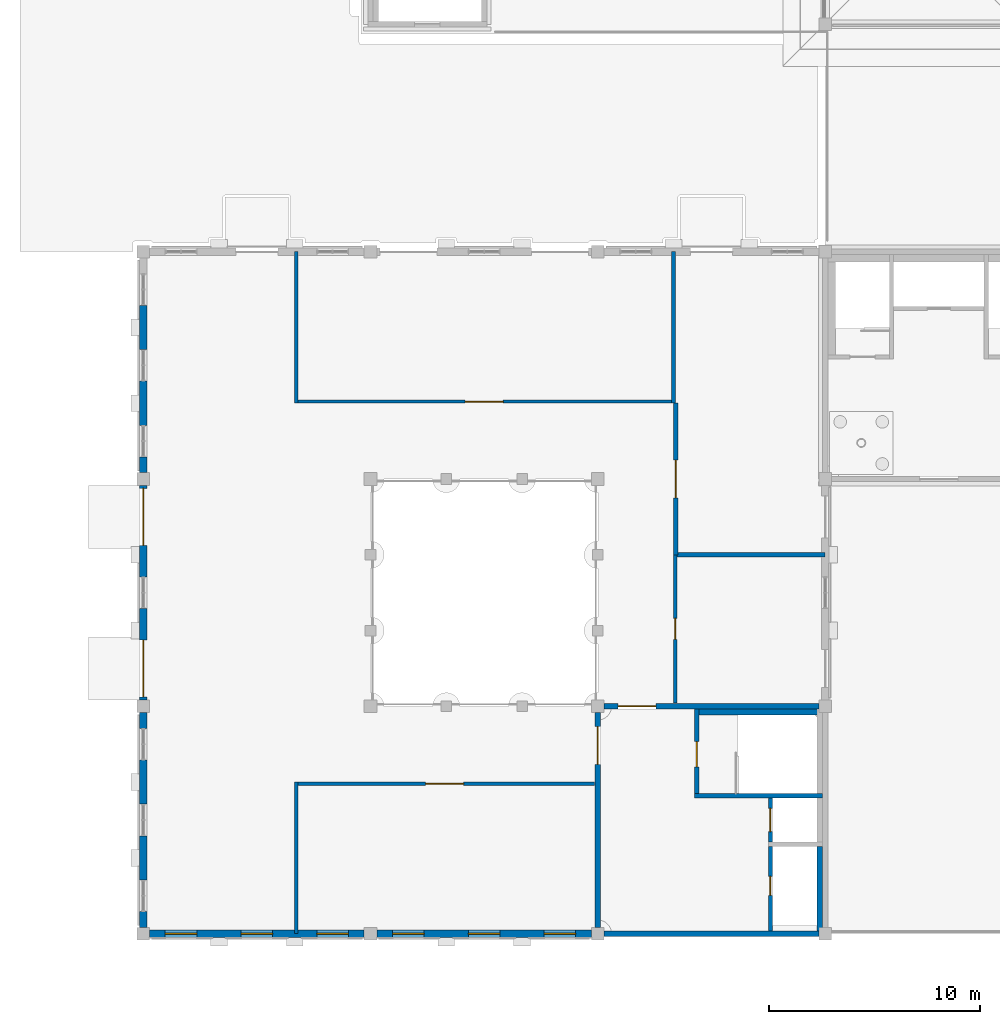
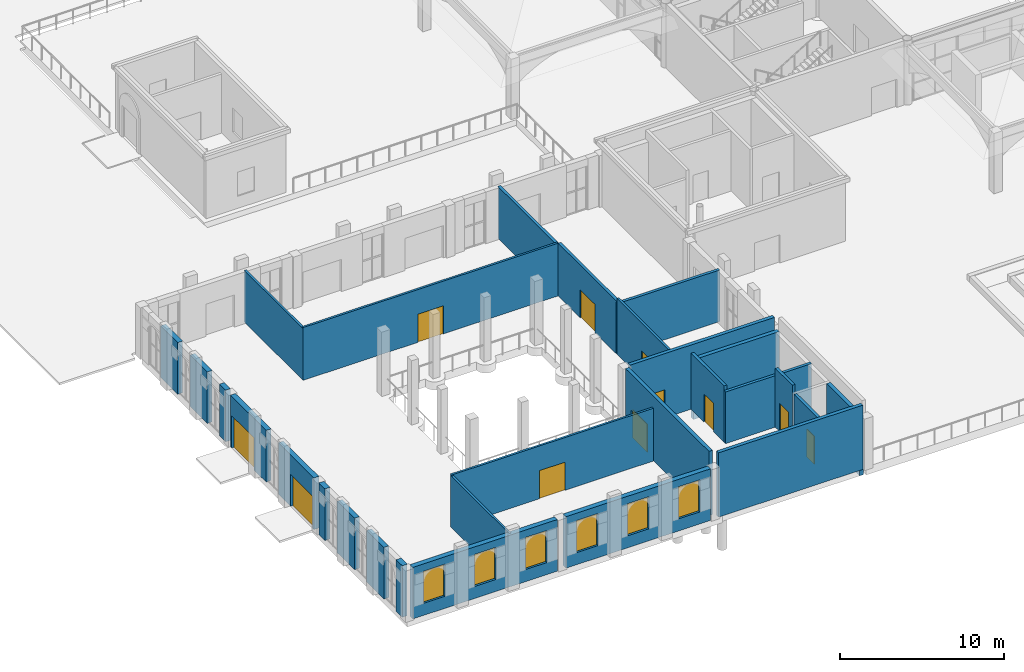
# One storey, part 44 of 91: 28 walls, 11 doors, 6 windows, 17 openings.
"""IFC4 building model written with IfcOpenShell, lengths in metres."""

from ifc_helpers import new_model, si_unit, direction, frame, frame_2d, origin, place, context, subcontext, project, spatial, rectangle, extrude, material, layer, layer_set, type_object, element, fill, save


model = new_model("IFC4")

# Units and contexts
model_context = context("Model", 3, precision=1e-05, world=origin(), true_north=direction((0.0, 1.0)))
body_context = subcontext(model_context, "Body", "Model", "MODEL_VIEW")
ifc_project = project(units=[si_unit("LENGTHUNIT", "METRE"), si_unit("AREAUNIT", "SQUARE_METRE"), si_unit("VOLUMEUNIT", "CUBIC_METRE"), si_unit("PLANEANGLEUNIT", "RADIAN"), si_unit("MASSUNIT", "GRAM", prefix="KILO")], contexts=[model_context])

# Site, building, storey
site_placement = place(None, origin())
site = spatial("IfcSite", under=ifc_project, at=site_placement, CompositionType="ELEMENT")
building_placement = place(site_placement, origin())
building = spatial("IfcBuilding", under=site, at=building_placement, Name="Magnolia Steps Interchange", CompositionType="ELEMENT")
storey_placement = place(building_placement, origin())
storey = spatial("IfcBuildingStorey", under=building, at=storey_placement, Name="L00", CompositionType="ELEMENT", Elevation=0.0)

# Wall, opening, door
ifc_material_1 = material(Name="Concrete C35", Category="concrete")
ifc_layer_1 = layer(ifc_material_1, 0.199951171875)
ifc_layer_set_1 = layer_set([ifc_layer_1], Name="Core enclosure wall 200")
wall_type_1 = type_object("IfcWallType", Name="Core enclosure wall 200", PredefinedType="SOLIDWALL", material=ifc_layer_set_1)
wall_1_placement = place(storey_placement, frame((36.300048828125, 20.675048828125, 0.0), z_axis=(0.0, 0.0, 1.0), x_axis=(0.0, -1.0, 0.0)))
wall_1 = element("IfcWall", 1, at=wall_1_placement, inside=storey, type_object=wall_type_1, Name="L00 HB1 enclosure wall", PredefinedType="SOLIDWALL", context=body_context, shape_type="SweptSolid", body=[
    extrude(rectangle(XDim=4.025146484375, YDim=0.199951171875, at=frame_2d((2.0126953125, 0.0))), origin(), (0.0, 0.0, 1.0), 4.1904296875),
])
opening_1_placement = place(wall_1_placement, frame((1.550048828125, 0.0, 0.0)))
opening_1 = element("IfcOpeningElement", 2, at=opening_1_placement, cuts=wall_1, Name="Opening D-HB1-L00-1", PredefinedType="OPENING", context=body_context, shape_type="SweptSolid", body=[
    extrude(rectangle(XDim=1.199951171875, YDim=2.10009765625, at=frame_2d((0.60009765625, 1.050048828125))), frame((0.0, 0.10986328125, 0.0), z_axis=(0.0, -1.0, 0.0), x_axis=(1.0, 0.0, 0.0)), (0.0, 0.0, 1.0), 0.219970703125),
])
ifc_material_2 = material(Name="Painted steel", Category="steel")
door_type_1 = type_object("IfcDoorType", Name="Stair fire door 1200x2100", OperationType="NOTDEFINED", PredefinedType="DOOR", material=ifc_material_2)
door_1_placement = place(opening_1_placement, frame((1.199951171875, 0.0, 0.0), z_axis=(0.0, 0.0, 1.0), x_axis=(-1.0, 0.0, 0.0)))
door_1 = element("IfcDoor", 3, at=door_1_placement, inside=storey, type_object=door_type_1, Name="Stair door ST25 L00", OperationType="SINGLE_SWING_LEFT", OverallHeight=2.10009765625, OverallWidth=1.199951171875, PredefinedType="DOOR", context=body_context, shape_type="SweptSolid", body=[
    extrude(rectangle(XDim=1.199951171875, YDim=2.10009765625, at=frame_2d((0.60009765625, 1.050048828125))), frame((0.0, 0.02490234375, 0.0), z_axis=(0.0, -1.0, 0.0), x_axis=(1.0, 0.0, 0.0)), (0.0, 0.0, 1.0), 0.050048828125),
])
fill(opening_1, door_1)

# Wall
wall_2_placement = place(storey_placement, frame((36.199951171875, 16.550048828125, 0.0), z_axis=(0.0, 0.0, 1.0), x_axis=(1.0, 0.0, 0.0)))
element("IfcWall", 4, at=wall_2_placement, inside=storey, type_object=wall_type_1, Name="L00 HB1 enclosure wall", PredefinedType="SOLIDWALL", context=body_context, shape_type="SweptSolid", body=[
    extrude(rectangle(XDim=6.074951171875, YDim=0.199951171875, at=frame_2d((3.03759765625, 0.0))), origin(), (0.0, 0.0, 1.0), 3.85009765625),
])

# Wall, opening, door
wall_3_placement = place(storey_placement, frame((39.800048828125, 16.449951171875, 0.0), z_axis=(0.0, 0.0, 1.0), x_axis=(0.0, -1.0, 0.0)))
wall_3 = element("IfcWall", 5, at=wall_3_placement, inside=storey, type_object=wall_type_1, Name="L00 HB1 enclosure wall", PredefinedType="SOLIDWALL", context=body_context, shape_type="SweptSolid", body=[
    extrude(rectangle(XDim=2.099853515625, YDim=0.199951171875, at=frame_2d((1.0498046875, 0.0))), origin(), (0.0, 0.0, 1.0), 4.39990234375),
])
opening_2_placement = place(wall_3_placement, frame((0.5, 0.0, 0.0)))
opening_2 = element("IfcOpeningElement", 6, at=opening_2_placement, cuts=wall_3, Name="Opening LD", PredefinedType="OPENING", context=body_context, shape_type="SweptSolid", body=[
    extrude(rectangle(XDim=1.10009765625, YDim=2.10009765625, at=frame_2d((0.550048828125, 1.050048828125))), frame((0.0, 0.10986328125, 0.0), z_axis=(0.0, -1.0, 0.0), x_axis=(1.0, 0.0, 0.0)), (0.0, 0.0, 1.0), 0.219970703125),
])
ifc_material_3 = material(Name="Stainless steel grade 304", Category="steel")
door_type_2 = type_object("IfcDoorType", Name="Lift landing door 1100x2100", OperationType="DOUBLE_DOOR_SLIDING", PredefinedType="DOOR", material=ifc_material_3)
door_2_placement = place(opening_2_placement, frame((1.10009765625, 0.0, 0.0), z_axis=(0.0, 0.0, 1.0), x_axis=(-1.0, 0.0, 0.0)))
door_2 = element("IfcDoor", 7, at=door_2_placement, inside=storey, type_object=door_type_2, Name="Lift landing door LF12 L00", OperationType="DOUBLE_DOOR_SLIDING", OverallHeight=2.10009765625, OverallWidth=1.10009765625, PredefinedType="DOOR", context=body_context, shape_type="SweptSolid", body=[
    extrude(rectangle(XDim=1.10009765625, YDim=2.10009765625, at=frame_2d((0.550048828125, 1.050048828125))), frame((0.0, 0.02490234375, 0.0), z_axis=(0.0, -1.0, 0.0), x_axis=(1.0, 0.0, 0.0)), (0.0, 0.0, 1.0), 0.050048828125),
])
fill(opening_2, door_2)

wall_4_placement = place(storey_placement, frame((39.800048828125, 14.14990234375, 0.0), z_axis=(0.0, 0.0, 1.0), x_axis=(0.0, -1.0, 0.0)))
wall_4 = element("IfcWall", 8, at=wall_4_placement, inside=storey, type_object=wall_type_1, Name="L00 HB1 enclosure wall", PredefinedType="SOLIDWALL", context=body_context, shape_type="SweptSolid", body=[
    extrude(rectangle(XDim=4.02490234375, YDim=0.199951171875, at=frame_2d((2.012451171875, 0.0))), origin(), (0.0, 0.0, 1.0), 3.85009765625),
])
opening_3_placement = place(wall_4_placement, frame((1.425048828125, 0.0, 0.0)))
opening_3 = element("IfcOpeningElement", 9, at=opening_3_placement, cuts=wall_4, Name="Opening D-HB1-L00-2", PredefinedType="OPENING", context=body_context, shape_type="SweptSolid", body=[
    extrude(rectangle(XDim=0.89990234375, YDim=2.10009765625, at=frame_2d((0.449951171875, 1.050048828125))), frame((0.0, 0.10986328125, 0.0), z_axis=(0.0, -1.0, 0.0), x_axis=(1.0, 0.0, 0.0)), (0.0, 0.0, 1.0), 0.219970703125),
])
ifc_material_4 = material(Name="Painted steel", Category="steel")
door_type_3 = type_object("IfcDoorType", Name="Riser door 900x2100", OperationType="NOTDEFINED", PredefinedType="DOOR", material=ifc_material_4)
door_3_placement = place(opening_3_placement, frame((0.89990234375, 0.0, 0.0), z_axis=(0.0, 0.0, 1.0), x_axis=(-1.0, 0.0, 0.0)))
door_3 = element("IfcDoor", 10, at=door_3_placement, inside=storey, type_object=door_type_3, Name="Riser door HB1 L00", OperationType="SINGLE_SWING_RIGHT", OverallHeight=2.10009765625, OverallWidth=0.89990234375, PredefinedType="DOOR", context=body_context, shape_type="SweptSolid", body=[
    extrude(rectangle(XDim=0.89990234375, YDim=2.10009765625, at=frame_2d((0.449951171875, 1.050048828125))), frame((0.0, 0.02490234375, 0.0), z_axis=(0.0, -1.0, 0.0), x_axis=(1.0, 0.0, 0.0)), (0.0, 0.0, 1.0), 0.050048828125),
])
fill(opening_3, door_3)

# Walls
ifc_material_5 = material(Name="Concrete C35", Category="concrete")
ifc_layer_2 = layer(ifc_material_5, 0.27490234375)
ifc_layer_set_2 = layer_set([ifc_layer_2], Name="Core lining wall 275")
wall_type_2 = type_object("IfcWallType", Name="Core lining wall 275", PredefinedType="SOLIDWALL", material=ifc_layer_set_2)
wall_5_placement = place(storey_placement, frame((36.199951171875, 20.53759765625, -0.60009765625), z_axis=(0.0, 0.0, 1.0), x_axis=(1.0, 0.0, 0.0)))
element("IfcWall", 11, at=wall_5_placement, inside=storey, type_object=wall_type_2, Name="L00 HB1 stair lining wall", PredefinedType="SOLIDWALL", context=body_context, shape_type="SweptSolid", body=[
    extrude(rectangle(XDim=6.074951171875, YDim=0.27490234375, at=frame_2d((3.03759765625, 0.0))), origin(), (0.0, 0.0, 1.0), 4.4501953125),
])
wall_6_placement = place(storey_placement, frame((42.137451171875, 14.14990234375, -0.60009765625), z_axis=(0.0, 0.0, 1.0), x_axis=(0.0, -1.0, 0.0)))
element("IfcWall", 12, at=wall_6_placement, inside=storey, type_object=wall_type_2, Name="L00 HB1 stair lining wall", PredefinedType="SOLIDWALL", context=body_context, shape_type="SweptSolid", body=[
    extrude(rectangle(XDim=4.02490234375, YDim=0.27490234375, at=frame_2d((2.012451171875, 0.0))), origin(), (0.0, 0.0, 1.0), 4.4501953125),
])
ifc_material_6 = material(Name="Concrete C40", Category="concrete")
ifc_layer_3 = layer(ifc_material_6, 0.25)
ifc_layer_set_3 = layer_set([ifc_layer_3], Name="Core wall 250")
wall_type_3 = type_object("IfcWallType", Name="Core wall 250", PredefinedType="SOLIDWALL", material=ifc_layer_set_3)
wall_7_placement = place(storey_placement, frame((31.89990234375, 10.0, 0.0), z_axis=(0.0, 0.0, 1.0), x_axis=(1.0, 0.0, 0.0)))
element("IfcWall", 13, at=wall_7_placement, inside=storey, type_object=wall_type_3, Name="Core wall HB1", PredefinedType="SOLIDWALL", context=body_context, shape_type="SweptSolid", body=[
    extrude(rectangle(XDim=10.2001953125, YDim=0.25, at=frame_2d((5.10009765625, 0.0))), origin(), (0.0, 0.0, 1.0), 4.800048828125),
])

# Wall, opening, door
wall_8_placement = place(storey_placement, frame((42.10009765625, 20.800048828125, 0.0), z_axis=(0.0, 0.0, 1.0), x_axis=(-1.0, 0.0, 0.0)))
wall_8 = element("IfcWall", 14, at=wall_8_placement, inside=storey, type_object=wall_type_3, Name="Core wall HB1", PredefinedType="SOLIDWALL", context=body_context, shape_type="SweptSolid", body=[
    extrude(rectangle(XDim=10.2001953125, YDim=0.25, at=frame_2d((5.10009765625, 0.0))), origin(), (0.0, 0.0, 1.0), 4.800048828125),
])
opening_4_placement = place(wall_8_placement, frame((7.737060546875, 0.0, 0.0)))
opening_4 = element("IfcOpeningElement", 15, at=opening_4_placement, cuts=wall_8, Name="Opening D-HB1-L00-4", PredefinedType="OPENING", context=body_context, shape_type="SweptSolid", body=[
    extrude(rectangle(XDim=1.800048828125, YDim=2.10009765625, at=frame_2d((0.89990234375, 1.050048828125))), frame((0.0, 0.135009765625, 0.0), z_axis=(0.0, -1.0, 0.0), x_axis=(1.0, 0.0, 0.0)), (0.0, 0.0, 1.0), 0.27001953125),
])
ifc_material_7 = material(Name="Timber and glass", Category="wood")
door_type_4 = type_object("IfcDoorType", Name="Core entrance door pair 1800x2100", OperationType="DOUBLE_DOOR_DOUBLE_SWING", PredefinedType="DOOR", material=ifc_material_7)
door_4_placement = place(opening_4_placement, frame((1.800048828125, 0.0, 0.0), z_axis=(0.0, 0.0, 1.0), x_axis=(-1.0, 0.0, 0.0)))
door_4 = element("IfcDoor", 16, at=door_4_placement, inside=storey, type_object=door_type_4, Name="Core entrance door HB1 L00", OperationType="DOUBLE_DOOR_DOUBLE_SWING", OverallHeight=2.10009765625, OverallWidth=1.800048828125, PredefinedType="DOOR", context=body_context, shape_type="SweptSolid", body=[
    extrude(rectangle(XDim=1.800048828125, YDim=2.10009765625, at=frame_2d((0.89990234375, 1.050048828125))), frame((0.0, 0.02490234375, 0.0), z_axis=(0.0, -1.0, 0.0), x_axis=(1.0, 0.0, 0.0)), (0.0, 0.0, 1.0), 0.050048828125),
])
fill(opening_4, door_4)

wall_9_placement = place(storey_placement, frame((31.60009765625, 20.5, 0.0), z_axis=(0.0, 0.0, 1.0), x_axis=(0.0, -1.0, 0.0)))
wall_9 = element("IfcWall", 17, at=wall_9_placement, inside=storey, type_object=wall_type_3, Name="Core wall HB1", PredefinedType="SOLIDWALL", context=body_context, shape_type="SweptSolid", body=[
    extrude(rectangle(XDim=10.199951171875, YDim=0.25, at=frame_2d((5.10009765625, 0.0))), origin(), (0.0, 0.0, 1.0), 4.800048828125),
])
opening_5_placement = place(wall_9_placement, frame((0.662109375, 0.0, 0.0)))
opening_5 = element("IfcOpeningElement", 18, at=opening_5_placement, cuts=wall_9, Name="Opening D-HB1-L00-3", PredefinedType="OPENING", context=body_context, shape_type="SweptSolid", body=[
    extrude(rectangle(XDim=1.800048828125, YDim=2.10009765625, at=frame_2d((0.89990234375, 1.050048828125))), frame((0.0, 0.135009765625, 0.0), z_axis=(0.0, -1.0, 0.0), x_axis=(1.0, 0.0, 0.0)), (0.0, 0.0, 1.0), 0.27001953125),
])
door_5_placement = place(opening_5_placement, frame((1.800048828125, 0.0, 0.0), z_axis=(0.0, 0.0, 1.0), x_axis=(-1.0, 0.0, 0.0)))
door_5 = element("IfcDoor", 19, at=door_5_placement, inside=storey, type_object=door_type_4, Name="Core entrance door HB1 L00", OperationType="DOUBLE_DOOR_DOUBLE_SWING", OverallHeight=2.10009765625, OverallWidth=1.800048828125, PredefinedType="DOOR", context=body_context, shape_type="SweptSolid", body=[
    extrude(rectangle(XDim=1.800048828125, YDim=2.10009765625, at=frame_2d((0.89990234375, 1.050048828125))), frame((0.0, 0.02490234375, 0.0), z_axis=(0.0, -1.0, 0.0), x_axis=(1.0, 0.0, 0.0)), (0.0, 0.0, 1.0), 0.050048828125),
])
fill(opening_5, door_5)

ifc_material_8 = material(Name="Fair-faced blockwork", Category="masonry")
ifc_layer_4 = layer(ifc_material_8, 0.199951171875)
ifc_layer_set_4 = layer_set([ifc_layer_4], Name="Fire partition wall 200")
wall_type_4 = type_object("IfcWallType", Name="Fire partition wall 200", PredefinedType="PARTITIONING", material=ifc_layer_set_4)
wall_10_placement = place(storey_placement, frame((35.300048828125, 28.0, 0.0), z_axis=(0.0, 0.0, 1.0), x_axis=(0.0, 1.0, 0.0)))
wall_10 = element("IfcWall", 20, at=wall_10_placement, inside=storey, type_object=wall_type_4, Name="L00 partition 52", PredefinedType="PARTITIONING", context=body_context, shape_type="SweptSolid", body=[
    extrude(rectangle(XDim=7.199951171875, YDim=0.199951171875, at=frame_2d((3.60009765625, 0.0))), origin(), (0.0, 0.0, 1.0), 3.9404296875),
])
opening_6_placement = place(wall_10_placement, frame((2.699951171875, 0.0, 0.0)))
opening_6 = element("IfcOpeningElement", 21, at=opening_6_placement, cuts=wall_10, Name="Opening D-L00-23", PredefinedType="OPENING", context=body_context, shape_type="SweptSolid", body=[
    extrude(rectangle(XDim=1.800048828125, YDim=2.10009765625, at=frame_2d((0.89990234375, 1.050048828125))), frame((0.0, 0.10986328125, 0.0), z_axis=(0.0, -1.0, 0.0), x_axis=(1.0, 0.0, 0.0)), (0.0, 0.0, 1.0), 0.219970703125),
])
ifc_material_9 = material(Name="Painted steel", Category="steel")
door_type_5 = type_object("IfcDoorType", Name="Plant room door pair 1800x2100", OperationType="DOUBLE_DOOR_DOUBLE_SWING", PredefinedType="DOOR", material=ifc_material_9)
door_6_placement = place(opening_6_placement, frame((1.800048828125, 0.0, 0.0), z_axis=(0.0, 0.0, 1.0), x_axis=(-1.0, 0.0, 0.0)))
door_6 = element("IfcDoor", 22, at=door_6_placement, inside=storey, type_object=door_type_5, Name="Electric Bicycle Charging Room door", OperationType="DOUBLE_DOOR_DOUBLE_SWING", OverallHeight=2.10009765625, OverallWidth=1.800048828125, PredefinedType="DOOR", context=body_context, shape_type="SweptSolid", body=[
    extrude(rectangle(XDim=1.800048828125, YDim=2.10009765625, at=frame_2d((0.89990234375, 1.050048828125))), frame((0.0, 0.02490234375, 0.0), z_axis=(0.0, -1.0, 0.0), x_axis=(1.0, 0.0, 0.0)), (0.0, 0.0, 1.0), 0.050048828125),
])
fill(opening_6, door_6)

# Walls
for number, where, z_axis, x_axis, name in (
    (23, (35.199951171875, 28.0, 0.0), (0.0, 0.0, 1.0), (1.0, 0.0, 0.0), "L00 partition 56"),
    (24, (35.199951171875, 35.199951171875, 0.0), (0.0, 0.0, 1.0), (0.0, 1.0, 0.0), "L00 partition 57"),
):
    element("IfcWall", number, at=place(storey_placement, frame(where, z_axis=z_axis, x_axis=x_axis)), inside=storey, type_object=wall_type_4, Name=name, PredefinedType="PARTITIONING", context=body_context, shape_type="SweptSolid", body=[
        extrude(rectangle(XDim=7.199951171875, YDim=0.199951171875, at=frame_2d((3.60009765625, 0.0))), origin(), (0.0, 0.0, 1.0), 3.85009765625),
    ])

# Wall, openings, windows
ifc_material_10 = material(Name="Lime render on masonry", Category="masonry")
ifc_layer_5 = layer(ifc_material_10, 0.35009765625)
ifc_layer_set_5 = layer_set([ifc_layer_5], Name="Lime render wall 350")
wall_type_5 = type_object("IfcWallType", Name="Lime render wall 350", PredefinedType="SOLIDWALL", material=ifc_layer_set_5)
wall_11_placement = place(storey_placement, frame((10.300048828125, 10.0, 0.0), z_axis=(0.0, 0.0, 1.0), x_axis=(1.0, 0.0, 0.0)))
wall_11 = element("IfcWall", 25, at=wall_11_placement, inside=storey, type_object=wall_type_5, Name="Cycle hub south wall L00", PredefinedType="SOLIDWALL", context=body_context, shape_type="SweptSolid", body=[
    extrude(rectangle(XDim=10.199951171875, YDim=0.35009765625, at=frame_2d((5.10009765625, 0.0))), origin(), (0.0, 0.0, 1.0), 3.85009765625),
])
opening_7_placement = place(wall_11_placement, frame((0.75, 0.0, 0.89990234375)))
opening_7 = element("IfcOpeningElement", 26, at=opening_7_placement, cuts=wall_11, Name="Opening WN3", PredefinedType="OPENING", context=body_context, shape_type="SweptSolid", body=[
    extrude(rectangle(XDim=1.5, YDim=2.39990234375, at=frame_2d((0.75, 1.199951171875))), frame((0.0, 0.18505859375, 0.0), z_axis=(0.0, -1.0, 0.0), x_axis=(1.0, 0.0, 0.0)), (0.0, 0.0, 1.0), 0.3701171875),
])
opening_8_placement = place(wall_11_placement, frame((4.35009765625, 0.0, 0.89990234375)))
opening_8 = element("IfcOpeningElement", 27, at=opening_8_placement, cuts=wall_11, Name="Opening WN3", PredefinedType="OPENING", context=body_context, shape_type="SweptSolid", body=[
    extrude(rectangle(XDim=1.5, YDim=2.39990234375, at=frame_2d((0.75, 1.199951171875))), frame((0.0, 0.18505859375, 0.0), z_axis=(0.0, -1.0, 0.0), x_axis=(1.0, 0.0, 0.0)), (0.0, 0.0, 1.0), 0.3701171875),
])
opening_9_placement = place(wall_11_placement, frame((7.949951171875, 0.0, 0.89990234375)))
opening_9 = element("IfcOpeningElement", 28, at=opening_9_placement, cuts=wall_11, Name="Opening WN3", PredefinedType="OPENING", context=body_context, shape_type="SweptSolid", body=[
    extrude(rectangle(XDim=1.5, YDim=2.39990234375, at=frame_2d((0.75, 1.199951171875))), frame((0.0, 0.18505859375, 0.0), z_axis=(0.0, -1.0, 0.0), x_axis=(1.0, 0.0, 0.0)), (0.0, 0.0, 1.0), 0.3701171875),
])
ifc_material_11 = material(Name="Timber frame with double glazing", Category="wood")
window_type = type_object("IfcWindowType", Name="Hub window 1500 x 2400", PartitioningType="DOUBLE_PANEL_VERTICAL", PredefinedType="WINDOW", material=ifc_material_11)
window_1_placement = place(opening_7_placement, origin())
window_1 = element("IfcWindow", 29, at=window_1_placement, inside=storey, type_object=window_type, Name="Hub window south 1", OverallHeight=2.39990234375, OverallWidth=1.5, PartitioningType="SINGLE_PANEL", PredefinedType="WINDOW", context=body_context, shape_type="SweptSolid", body=[
    extrude(rectangle(XDim=1.5, YDim=2.39990234375, at=frame_2d((0.75, 1.199951171875))), frame((0.0, 0.030029296875, 0.0), z_axis=(0.0, -1.0, 0.0), x_axis=(1.0, 0.0, 0.0)), (0.0, 0.0, 1.0), 0.06005859375),
])
fill(opening_7, window_1)
window_2_placement = place(opening_8_placement, origin())
window_2 = element("IfcWindow", 30, at=window_2_placement, inside=storey, type_object=window_type, Name="Hub window south 2", OverallHeight=2.39990234375, OverallWidth=1.5, PartitioningType="SINGLE_PANEL", PredefinedType="WINDOW", context=body_context, shape_type="SweptSolid", body=[
    extrude(rectangle(XDim=1.5, YDim=2.39990234375, at=frame_2d((0.75, 1.199951171875))), frame((0.0, 0.030029296875, 0.0), z_axis=(0.0, -1.0, 0.0), x_axis=(1.0, 0.0, 0.0)), (0.0, 0.0, 1.0), 0.06005859375),
])
fill(opening_8, window_2)
window_3_placement = place(opening_9_placement, origin())
window_3 = element("IfcWindow", 31, at=window_3_placement, inside=storey, type_object=window_type, Name="Hub window south 3", OverallHeight=2.39990234375, OverallWidth=1.5, PartitioningType="SINGLE_PANEL", PredefinedType="WINDOW", context=body_context, shape_type="SweptSolid", body=[
    extrude(rectangle(XDim=1.5, YDim=2.39990234375, at=frame_2d((0.75, 1.199951171875))), frame((0.0, 0.030029296875, 0.0), z_axis=(0.0, -1.0, 0.0), x_axis=(1.0, 0.0, 0.0)), (0.0, 0.0, 1.0), 0.06005859375),
])
fill(opening_9, window_3)

wall_12_placement = place(storey_placement, frame((21.10009765625, 10.0, 0.0), z_axis=(0.0, 0.0, 1.0), x_axis=(1.0, 0.0, 0.0)))
wall_12 = element("IfcWall", 32, at=wall_12_placement, inside=storey, type_object=wall_type_5, Name="Cycle hub south wall L00", PredefinedType="SOLIDWALL", context=body_context, shape_type="SweptSolid", body=[
    extrude(rectangle(XDim=10.199951171875, YDim=0.35009765625, at=frame_2d((5.10009765625, 0.0))), origin(), (0.0, 0.0, 1.0), 3.85009765625),
])
opening_10_placement = place(wall_12_placement, frame((0.75, 0.0, 0.89990234375)))
opening_10 = element("IfcOpeningElement", 33, at=opening_10_placement, cuts=wall_12, Name="Opening WN3", PredefinedType="OPENING", context=body_context, shape_type="SweptSolid", body=[
    extrude(rectangle(XDim=1.5, YDim=2.39990234375, at=frame_2d((0.75, 1.199951171875))), frame((0.0, 0.18505859375, 0.0), z_axis=(0.0, -1.0, 0.0), x_axis=(1.0, 0.0, 0.0)), (0.0, 0.0, 1.0), 0.3701171875),
])
opening_11_placement = place(wall_12_placement, frame((4.35009765625, 0.0, 0.89990234375)))
opening_11 = element("IfcOpeningElement", 34, at=opening_11_placement, cuts=wall_12, Name="Opening WN3", PredefinedType="OPENING", context=body_context, shape_type="SweptSolid", body=[
    extrude(rectangle(XDim=1.5, YDim=2.39990234375, at=frame_2d((0.75, 1.199951171875))), frame((0.0, 0.18505859375, 0.0), z_axis=(0.0, -1.0, 0.0), x_axis=(1.0, 0.0, 0.0)), (0.0, 0.0, 1.0), 0.3701171875),
])
opening_12_placement = place(wall_12_placement, frame((7.949951171875, 0.0, 0.89990234375)))
opening_12 = element("IfcOpeningElement", 35, at=opening_12_placement, cuts=wall_12, Name="Opening WN3", PredefinedType="OPENING", context=body_context, shape_type="SweptSolid", body=[
    extrude(rectangle(XDim=1.5, YDim=2.39990234375, at=frame_2d((0.75, 1.199951171875))), frame((0.0, 0.18505859375, 0.0), z_axis=(0.0, -1.0, 0.0), x_axis=(1.0, 0.0, 0.0)), (0.0, 0.0, 1.0), 0.3701171875),
])
window_4_placement = place(opening_10_placement, origin())
window_4 = element("IfcWindow", 36, at=window_4_placement, inside=storey, type_object=window_type, Name="Hub window south 4", OverallHeight=2.39990234375, OverallWidth=1.5, PartitioningType="SINGLE_PANEL", PredefinedType="WINDOW", context=body_context, shape_type="SweptSolid", body=[
    extrude(rectangle(XDim=1.5, YDim=2.39990234375, at=frame_2d((0.75, 1.199951171875))), frame((0.0, 0.030029296875, 0.0), z_axis=(0.0, -1.0, 0.0), x_axis=(1.0, 0.0, 0.0)), (0.0, 0.0, 1.0), 0.06005859375),
])
fill(opening_10, window_4)
window_5_placement = place(opening_11_placement, origin())
window_5 = element("IfcWindow", 37, at=window_5_placement, inside=storey, type_object=window_type, Name="Hub window south 5", OverallHeight=2.39990234375, OverallWidth=1.5, PartitioningType="SINGLE_PANEL", PredefinedType="WINDOW", context=body_context, shape_type="SweptSolid", body=[
    extrude(rectangle(XDim=1.5, YDim=2.39990234375, at=frame_2d((0.75, 1.199951171875))), frame((0.0, 0.030029296875, 0.0), z_axis=(0.0, -1.0, 0.0), x_axis=(1.0, 0.0, 0.0)), (0.0, 0.0, 1.0), 0.06005859375),
])
fill(opening_11, window_5)
window_6_placement = place(opening_12_placement, origin())
window_6 = element("IfcWindow", 38, at=window_6_placement, inside=storey, type_object=window_type, Name="Hub window south 6", OverallHeight=2.39990234375, OverallWidth=1.5, PartitioningType="SINGLE_PANEL", PredefinedType="WINDOW", context=body_context, shape_type="SweptSolid", body=[
    extrude(rectangle(XDim=1.5, YDim=2.39990234375, at=frame_2d((0.75, 1.199951171875))), frame((0.0, 0.030029296875, 0.0), z_axis=(0.0, -1.0, 0.0), x_axis=(1.0, 0.0, 0.0)), (0.0, 0.0, 1.0), 0.06005859375),
])
fill(opening_12, window_6)

# Walls
wall_13_placement = place(storey_placement, frame((10.0, 10.300048828125, 0.0), z_axis=(0.0, 0.0, 1.0), x_axis=(0.0, 1.0, 0.0)))
element("IfcWall", 39, at=wall_13_placement, inside=storey, type_object=wall_type_5, Name="Cycle hub west wall L00 pier 1", PredefinedType="SOLIDWALL", context=body_context, shape_type="SweptSolid", body=[
    extrude(rectangle(XDim=0.75, YDim=0.35009765625, at=frame_2d((0.375, 0.0))), origin(), (0.0, 0.0, 1.0), 3.85009765625),
])
wall_14_placement = place(storey_placement, frame((10.0, 12.550048828125, 0.0), z_axis=(0.0, 0.0, 1.0), x_axis=(0.0, 1.0, 0.0)))
element("IfcWall", 40, at=wall_14_placement, inside=storey, type_object=wall_type_5, Name="Cycle hub west wall L00 pier 3", PredefinedType="SOLIDWALL", context=body_context, shape_type="SweptSolid", body=[
    extrude(rectangle(XDim=2.099853515625, YDim=0.35009765625, at=frame_2d((1.0498046875, 0.0))), origin(), (0.0, 0.0, 1.0), 3.85009765625),
])
wall_15_placement = place(storey_placement, frame((10.0, 16.14990234375, 0.0), z_axis=(0.0, 0.0, 1.0), x_axis=(0.0, 1.0, 0.0)))
element("IfcWall", 41, at=wall_15_placement, inside=storey, type_object=wall_type_5, Name="Cycle hub west wall L00 pier 5", PredefinedType="SOLIDWALL", context=body_context, shape_type="SweptSolid", body=[
    extrude(rectangle(XDim=2.10009765625, YDim=0.35009765625, at=frame_2d((1.050048828125, 0.0))), origin(), (0.0, 0.0, 1.0), 3.85009765625),
])
wall_16_placement = place(storey_placement, frame((10.0, 19.75, 0.0), z_axis=(0.0, 0.0, 1.0), x_axis=(0.0, 1.0, 0.0)))
element("IfcWall", 42, at=wall_16_placement, inside=storey, type_object=wall_type_5, Name="Cycle hub west wall L00 pier 7", PredefinedType="SOLIDWALL", context=body_context, shape_type="SweptSolid", body=[
    extrude(rectangle(XDim=0.75, YDim=0.35009765625, at=frame_2d((0.375, 0.0))), origin(), (0.0, 0.0, 1.0), 3.85009765625),
])

# Wall, opening, door
wall_17_placement = place(storey_placement, frame((10.0, 21.10009765625, 0.0), z_axis=(0.0, 0.0, 1.0), x_axis=(0.0, 1.0, 0.0)))
wall_17 = element("IfcWall", 43, at=wall_17_placement, inside=storey, type_object=wall_type_5, Name="Cycle hub west wall L00 pier 7", PredefinedType="SOLIDWALL", context=body_context, shape_type="SweptSolid", body=[
    extrude(rectangle(XDim=4.349853515625, YDim=0.35009765625, at=frame_2d((2.1748046875, 0.0))), origin(), (0.0, 0.0, 1.0), 3.85009765625),
])
opening_13_placement = place(wall_17_placement, frame((0.14990234375, 0.0, 0.0)))
opening_13 = element("IfcOpeningElement", 44, at=opening_13_placement, cuts=wall_17, Name="Opening E16", PredefinedType="OPENING", context=body_context, shape_type="SweptSolid", body=[
    extrude(rectangle(XDim=2.699951171875, YDim=2.39990234375, at=frame_2d((1.35009765625, 1.199951171875))), frame((0.0, 0.18505859375, 0.0), z_axis=(0.0, -1.0, 0.0), x_axis=(1.0, 0.0, 0.0)), (0.0, 0.0, 1.0), 0.3701171875),
])
ifc_material_12 = material(Name="Aluminium and glass", Category="aluminium")
door_type_6 = type_object("IfcDoorType", Name="Cycle hub sliding door 2700 x 2400", OperationType="DOUBLE_DOOR_SLIDING", PredefinedType="DOOR", material=ifc_material_12)
door_7_placement = place(opening_13_placement, origin())
door_7 = element("IfcDoor", 45, at=door_7_placement, inside=storey, type_object=door_type_6, Name="Cycle hub west bicycle doors 3", OperationType="DOUBLE_DOOR_SLIDING", OverallHeight=2.39990234375, OverallWidth=2.699951171875, PredefinedType="DOOR", context=body_context, shape_type="SweptSolid", body=[
    extrude(rectangle(XDim=2.699951171875, YDim=2.39990234375, at=frame_2d((1.35009765625, 1.199951171875))), frame((0.0, 0.02490234375, 0.0), z_axis=(0.0, -1.0, 0.0), x_axis=(1.0, 0.0, 0.0)), (0.0, 0.0, 1.0), 0.050048828125),
])
fill(opening_13, door_7)

wall_18_placement = place(storey_placement, frame((10.0, 26.949951171875, 0.0), z_axis=(0.0, 0.0, 1.0), x_axis=(0.0, 1.0, 0.0)))
wall_18 = element("IfcWall", 46, at=wall_18_placement, inside=storey, type_object=wall_type_5, Name="Cycle hub west wall L00 pier 9", PredefinedType="SOLIDWALL", context=body_context, shape_type="SweptSolid", body=[
    extrude(rectangle(XDim=4.35009765625, YDim=0.35009765625, at=frame_2d((2.175048828125, 0.0))), origin(), (0.0, 0.0, 1.0), 3.85009765625),
])
opening_14_placement = place(wall_18_placement, frame((1.5, 0.0, 0.0)))
opening_14 = element("IfcOpeningElement", 47, at=opening_14_placement, cuts=wall_18, Name="Opening E17", PredefinedType="OPENING", context=body_context, shape_type="SweptSolid", body=[
    extrude(rectangle(XDim=2.699951171875, YDim=2.39990234375, at=frame_2d((1.35009765625, 1.199951171875))), frame((0.0, 0.18505859375, 0.0), z_axis=(0.0, -1.0, 0.0), x_axis=(1.0, 0.0, 0.0)), (0.0, 0.0, 1.0), 0.3701171875),
])
door_8_placement = place(opening_14_placement, origin())
door_8 = element("IfcDoor", 48, at=door_8_placement, inside=storey, type_object=door_type_6, Name="Cycle hub west bicycle doors 5", OperationType="DOUBLE_DOOR_SLIDING", OverallHeight=2.39990234375, OverallWidth=2.699951171875, PredefinedType="DOOR", context=body_context, shape_type="SweptSolid", body=[
    extrude(rectangle(XDim=2.699951171875, YDim=2.39990234375, at=frame_2d((1.35009765625, 1.199951171875))), frame((0.0, 0.02490234375, 0.0), z_axis=(0.0, -1.0, 0.0), x_axis=(1.0, 0.0, 0.0)), (0.0, 0.0, 1.0), 0.050048828125),
])
fill(opening_14, door_8)

# Walls
wall_19_placement = place(storey_placement, frame((10.0, 31.89990234375, 0.0), z_axis=(0.0, 0.0, 1.0), x_axis=(0.0, 1.0, 0.0)))
element("IfcWall", 49, at=wall_19_placement, inside=storey, type_object=wall_type_5, Name="Cycle hub west wall L00 pier 9", PredefinedType="SOLIDWALL", context=body_context, shape_type="SweptSolid", body=[
    extrude(rectangle(XDim=0.75, YDim=0.35009765625, at=frame_2d((0.375, 0.0))), origin(), (0.0, 0.0, 1.0), 3.85009765625),
])
for number, where, z_axis, x_axis, name in (
    (50, (10.0, 34.14990234375, 0.0), (0.0, 0.0, 1.0), (0.0, 1.0, 0.0), "Cycle hub west wall L00 pier 11"),
    (51, (10.0, 37.75, 0.0), (0.0, 0.0, 1.0), (0.0, 1.0, 0.0), "Cycle hub west wall L00 pier 13"),
):
    element("IfcWall", number, at=place(storey_placement, frame(where, z_axis=z_axis, x_axis=x_axis)), inside=storey, type_object=wall_type_5, Name=name, PredefinedType="SOLIDWALL", context=body_context, shape_type="SweptSolid", body=[
        extrude(rectangle(XDim=2.10009765625, YDim=0.35009765625, at=frame_2d((1.050048828125, 0.0))), origin(), (0.0, 0.0, 1.0), 3.85009765625),
    ])

# Wall, opening, door
ifc_material_13 = material(Name="Fair-faced blockwork", Category="masonry")
ifc_layer_6 = layer(ifc_material_13, 0.14990234375)
ifc_layer_set_6 = layer_set([ifc_layer_6], Name="Partition wall 150")
wall_type_6 = type_object("IfcWallType", Name="Partition wall 150", PredefinedType="PARTITIONING", material=ifc_layer_set_6)
wall_20_placement = place(storey_placement, frame((17.199951171875, 17.125, 0.0), z_axis=(0.0, 0.0, 1.0), x_axis=(1.0, 0.0, 0.0)))
wall_20 = element("IfcWall", 52, at=wall_20_placement, inside=storey, type_object=wall_type_6, Name="L00 partition 50", PredefinedType="PARTITIONING", context=body_context, shape_type="SweptSolid", body=[
    extrude(rectangle(XDim=14.2451171875, YDim=0.14990234375, at=frame_2d((7.12255859375, 0.0))), origin(), (0.0, 0.0, 1.0), 3.9404296875),
])
opening_15_placement = place(wall_20_placement, frame((6.222412109375, 0.0, 0.0)))
opening_15 = element("IfcOpeningElement", 53, at=opening_15_placement, cuts=wall_20, Name="Opening D-L00-21", PredefinedType="OPENING", context=body_context, shape_type="SweptSolid", body=[
    extrude(rectangle(XDim=1.800048828125, YDim=2.10009765625, at=frame_2d((0.89990234375, 1.050048828125))), frame((0.0, 0.0849609375, 0.0), z_axis=(0.0, -1.0, 0.0), x_axis=(1.0, 0.0, 0.0)), (0.0, 0.0, 1.0), 0.169921875),
])
ifc_material_14 = material(Name="Timber", Category="wood")
door_type_7 = type_object("IfcDoorType", Name="Room door pair 1800x2100", OperationType="DOUBLE_DOOR_DOUBLE_SWING", PredefinedType="DOOR", material=ifc_material_14)
door_9_placement = place(opening_15_placement, frame((1.800048828125, 0.0, 0.0), z_axis=(0.0, 0.0, 1.0), x_axis=(-1.0, 0.0, 0.0)))
door_9 = element("IfcDoor", 54, at=door_9_placement, inside=storey, type_object=door_type_7, Name="Cycle Shop door", OperationType="DOUBLE_DOOR_DOUBLE_SWING", OverallHeight=2.10009765625, OverallWidth=1.800048828125, PredefinedType="DOOR", context=body_context, shape_type="SweptSolid", body=[
    extrude(rectangle(XDim=1.800048828125, YDim=2.10009765625, at=frame_2d((0.89990234375, 1.050048828125))), frame((0.0, 0.02490234375, 0.0), z_axis=(0.0, -1.0, 0.0), x_axis=(1.0, 0.0, 0.0)), (0.0, 0.0, 1.0), 0.050048828125),
])
fill(opening_15, door_9)

wall_21_placement = place(storey_placement, frame((35.27490234375, 20.955078125, 0.0), z_axis=(0.0, 0.0, 1.0), x_axis=(0.0, 1.0, 0.0)))
wall_21 = element("IfcWall", 55, at=wall_21_placement, inside=storey, type_object=wall_type_6, Name="L00 partition 51", PredefinedType="PARTITIONING", context=body_context, shape_type="SweptSolid", body=[
    extrude(rectangle(XDim=7.044921875, YDim=0.14990234375, at=frame_2d((3.5224609375, 0.0))), origin(), (0.0, 0.0, 1.0), 4.1904296875),
])
opening_16_placement = place(wall_21_placement, frame((3.0224609375, 0.0, 0.0)))
opening_16 = element("IfcOpeningElement", 56, at=opening_16_placement, cuts=wall_21, Name="Opening D-L00-22", PredefinedType="OPENING", context=body_context, shape_type="SweptSolid", body=[
    extrude(rectangle(XDim=1.0, YDim=2.10009765625, at=frame_2d((0.5, 1.050048828125))), frame((0.0, 0.0849609375, 0.0), z_axis=(0.0, -1.0, 0.0), x_axis=(1.0, 0.0, 0.0)), (0.0, 0.0, 1.0), 0.169921875),
])
ifc_material_15 = material(Name="Timber", Category="wood")
door_type_8 = type_object("IfcDoorType", Name="Room door 1000x2100", OperationType="NOTDEFINED", PredefinedType="DOOR", material=ifc_material_15)
door_10_placement = place(opening_16_placement, origin())
door_10 = element("IfcDoor", 57, at=door_10_placement, inside=storey, type_object=door_type_8, Name="Cyclists' Lounge door", OperationType="SINGLE_SWING_LEFT", OverallHeight=2.10009765625, OverallWidth=1.0, PredefinedType="DOOR", context=body_context, shape_type="SweptSolid", body=[
    extrude(rectangle(XDim=1.0, YDim=2.10009765625, at=frame_2d((0.5, 1.050048828125))), frame((0.0, 0.02490234375, 0.0), z_axis=(0.0, -1.0, 0.0), x_axis=(1.0, 0.0, 0.0)), (0.0, 0.0, 1.0), 0.050048828125),
])
fill(opening_16, door_10)

wall_22_placement = place(storey_placement, frame((17.199951171875, 35.27490234375, 0.0), z_axis=(0.0, 0.0, 1.0), x_axis=(1.0, 0.0, 0.0)))
wall_22 = element("IfcWall", 58, at=wall_22_placement, inside=storey, type_object=wall_type_6, Name="L00 partition 53", PredefinedType="PARTITIONING", context=body_context, shape_type="SweptSolid", body=[
    extrude(rectangle(XDim=18.0, YDim=0.14990234375, at=frame_2d((9.0, 0.0))), origin(), (0.0, 0.0, 1.0), 3.9404296875),
])
opening_17_placement = place(wall_22_placement, frame((8.10009765625, 0.0, 0.0)))
opening_17 = element("IfcOpeningElement", 59, at=opening_17_placement, cuts=wall_22, Name="Opening D-L00-24", PredefinedType="OPENING", context=body_context, shape_type="SweptSolid", body=[
    extrude(rectangle(XDim=1.800048828125, YDim=2.10009765625, at=frame_2d((0.89990234375, 1.050048828125))), frame((0.0, 0.0849609375, 0.0), z_axis=(0.0, -1.0, 0.0), x_axis=(1.0, 0.0, 0.0)), (0.0, 0.0, 1.0), 0.169921875),
])
door_11_placement = place(opening_17_placement, origin())
door_11 = element("IfcDoor", 60, at=door_11_placement, inside=storey, type_object=door_type_7, Name="Cycle Hub Office door", OperationType="DOUBLE_DOOR_DOUBLE_SWING", OverallHeight=2.10009765625, OverallWidth=1.800048828125, PredefinedType="DOOR", context=body_context, shape_type="SweptSolid", body=[
    extrude(rectangle(XDim=1.800048828125, YDim=2.10009765625, at=frame_2d((0.89990234375, 1.050048828125))), frame((0.0, 0.02490234375, 0.0), z_axis=(0.0, -1.0, 0.0), x_axis=(1.0, 0.0, 0.0)), (0.0, 0.0, 1.0), 0.050048828125),
])
fill(opening_17, door_11)

# Walls
for number, where, z_axis, x_axis, name in (
    (61, (17.27490234375, 10.0, 0.0), (0.0, 0.0, 1.0), (0.0, 1.0, 0.0), "L00 partition 54"),
    (62, (17.27490234375, 35.199951171875, 0.0), (0.0, 0.0, 1.0), (0.0, 1.0, 0.0), "L00 partition 55"),
):
    element("IfcWall", number, at=place(storey_placement, frame(where, z_axis=z_axis, x_axis=x_axis)), inside=storey, type_object=wall_type_6, Name=name, PredefinedType="PARTITIONING", context=body_context, shape_type="SweptSolid", body=[
        extrude(rectangle(XDim=7.199951171875, YDim=0.14990234375, at=frame_2d((3.60009765625, 0.0))), origin(), (0.0, 0.0, 1.0), 3.85009765625),
    ])

save(model, "model.ifc")
